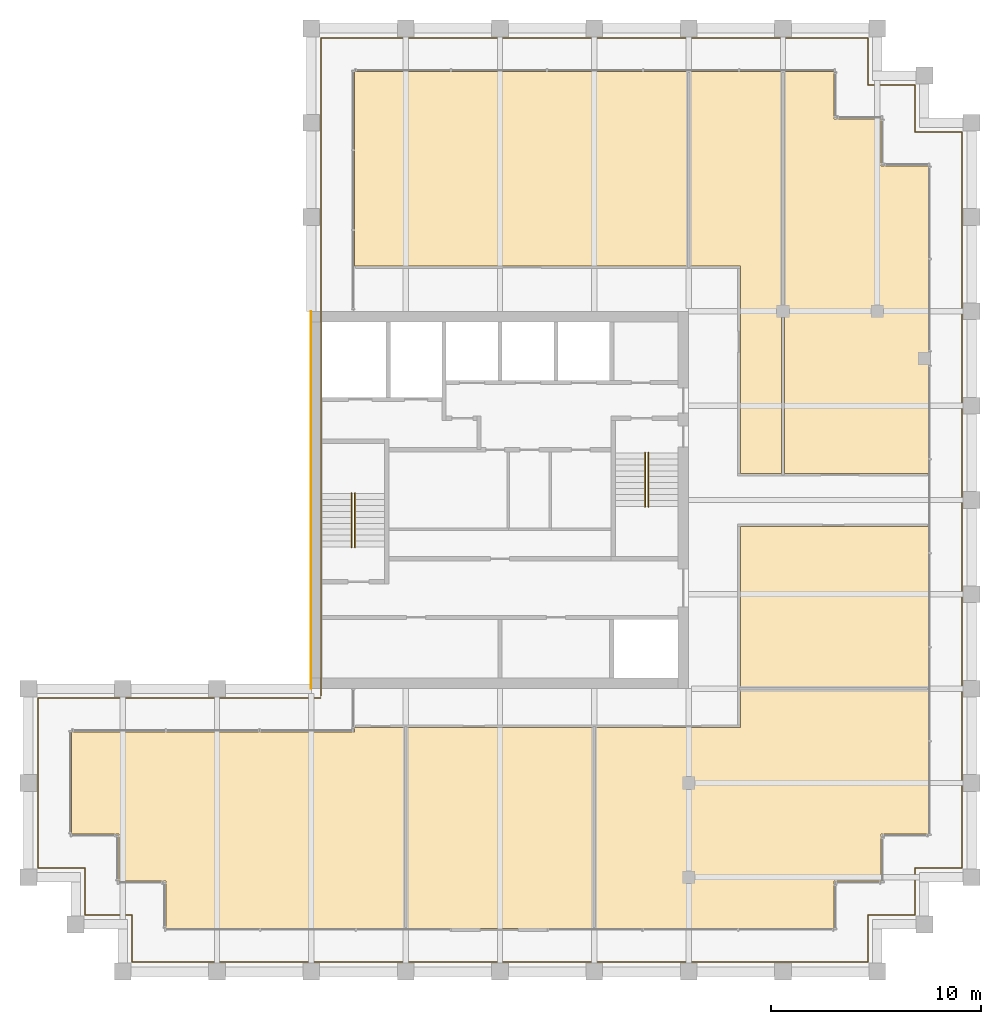
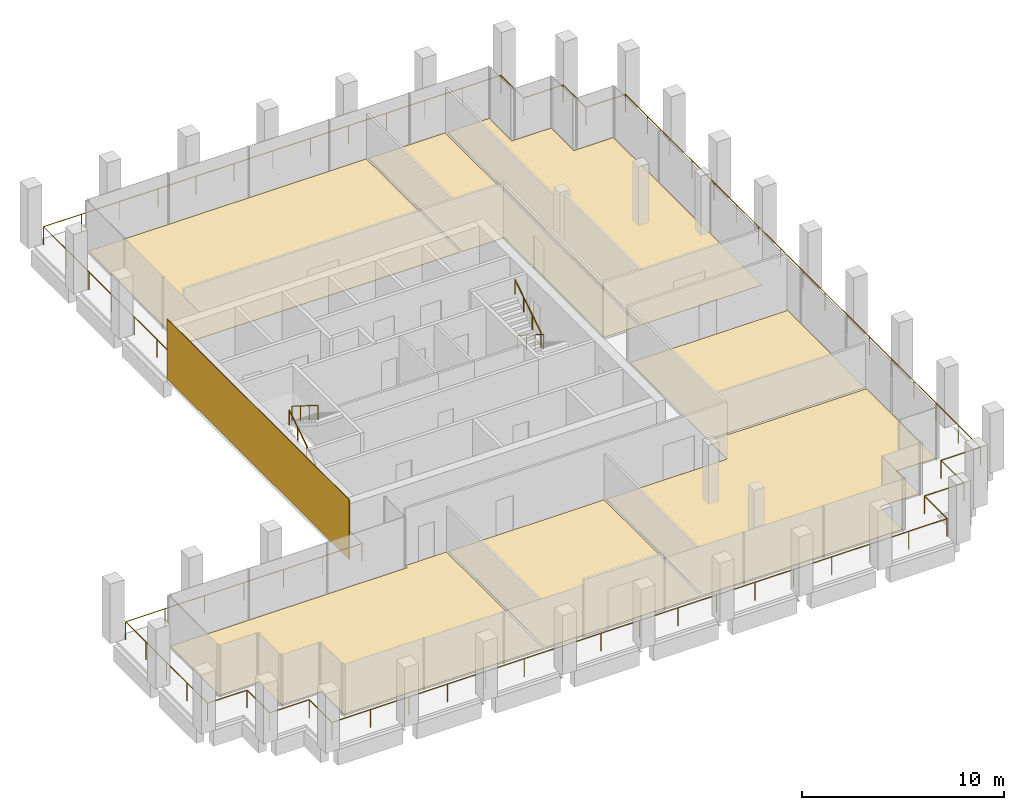
# One storey, part 30 of 30: 8 coverings, 5 railings.
"""IFC4 building model written with IfcOpenShell, lengths in metres."""

from ifc_helpers import new_model, si_unit, direction, frame, origin, origin_2d, place, context, subcontext, project, spatial, polyline, rectangle, circle, outline, extrude, source, transform, mapped, material, layer, layer_set, type_object, element, save


model = new_model("IFC4")

# Units and contexts
model_context = context("Model", 3, precision=1e-05, world=origin(), true_north=direction((0.0, 1.0)))
body_context = subcontext(model_context, "Body", "Model", "MODEL_VIEW")
ifc_project = project(units=[si_unit("LENGTHUNIT", "METRE"), si_unit("AREAUNIT", "SQUARE_METRE"), si_unit("VOLUMEUNIT", "CUBIC_METRE"), si_unit("PLANEANGLEUNIT", "RADIAN"), si_unit("MASSUNIT", "GRAM", prefix="KILO")], contexts=[model_context])

# Site, building, storey
site_placement = place(None, origin())
site = spatial("IfcSite", under=ifc_project, at=site_placement, CompositionType="ELEMENT")
building_placement = place(site_placement, origin())
building = spatial("IfcBuilding", under=site, at=building_placement, Name="Altepetl Exchange Towers", CompositionType="ELEMENT")
storey_placement = place(building_placement, frame((0.0, 0.0, 238.800048828125)))
storey = spatial("IfcBuildingStorey", under=building, at=storey_placement, Name="L61", CompositionType="ELEMENT", Elevation=238.800048828125)

# Coverings
ifc_material_1 = material(Name="Carpet tile")
ifc_layer_1 = layer(ifc_material_1, 0.02001953125)
ifc_layer_set_1 = layer_set([ifc_layer_1], Name="Carpet tile")
covering_type_1 = type_object("IfcCoveringType", Name="Carpet tile floor", PredefinedType="FLOORING", material=ifc_layer_set_1)
covering_1_placement = place(storey_placement, origin())
element("IfcCovering", 1, at=covering_1_placement, inside=storey, type_object=covering_type_1, Name="Fund office floor finish A61.01", PredefinedType="FLOORING", context=body_context, shape_type="SweptSolid", body=[
    extrude(outline(polyline([(33.5625, 29.0625), (44.9375, 29.0625), (44.9375, 38.637451171875), (42.5625, 38.637451171875), (42.5625, 38.4375), (29.0625, 38.4375), (29.0625, 33.5625), (31.3125, 33.5625), (31.3125, 31.3125), (33.5625, 31.3125), (33.5625, 29.0625)])), origin(), (0.0, 0.0, 1.0), 0.02001953125),
])
covering_2_placement = place(storey_placement, origin())
element("IfcCovering", 2, at=covering_2_placement, inside=storey, type_object=covering_type_1, Name="Family office floor finish A61.02", PredefinedType="FLOORING", context=body_context, shape_type="SweptSolid", body=[
    extrude(outline(polyline([(45.0625, 38.637451171875), (45.0625, 29.0625), (53.9375, 29.0625), (53.9375, 38.637451171875), (45.0625, 38.637451171875)])), origin(), (0.0, 0.0, 1.0), 0.02001953125),
])
covering_3_placement = place(storey_placement, origin())
element("IfcCovering", 3, at=covering_3_placement, inside=storey, type_object=covering_type_1, Name="Family office floor finish A61.03", PredefinedType="FLOORING", context=body_context, shape_type="SweptSolid", body=[
    extrude(outline(polyline([(54.0625, 29.0625), (65.4375, 29.0625), (65.4375, 31.3125), (67.6875, 31.3125), (67.6875, 33.5625), (69.9375, 33.5625), (69.9375, 40.4375), (60.96240234375, 40.4375), (60.96240234375, 38.637451171875), (54.0625, 38.637451171875), (54.0625, 29.0625)])), origin(), (0.0, 0.0, 1.0), 0.02001953125),
])
covering_4_placement = place(storey_placement, origin())
element("IfcCovering", 4, at=covering_4_placement, inside=storey, type_object=covering_type_1, Name="Meeting room floor finish A61.04", PredefinedType="FLOORING", context=body_context, shape_type="SweptSolid", body=[
    extrude(outline(polyline([(60.96240234375, 40.5625), (69.9375, 40.5625), (69.9375, 48.237548828125), (60.96240234375, 48.237548828125), (60.96240234375, 40.5625)])), origin(), (0.0, 0.0, 1.0), 0.02001953125),
])
covering_5_placement = place(storey_placement, origin())
element("IfcCovering", 5, at=covering_5_placement, inside=storey, type_object=covering_type_1, Name="Wealth office floor finish A61.05", PredefinedType="FLOORING", context=body_context, shape_type="SweptSolid", body=[
    extrude(outline(polyline([(65.4375, 67.6875), (65.4375, 69.9375), (63.0625, 69.9375), (63.0625, 50.762451171875), (69.9375, 50.762451171875), (69.9375, 65.4375), (67.6875, 65.4375), (67.6875, 67.6875), (65.4375, 67.6875)])), origin(), (0.0, 0.0, 1.0), 0.02001953125),
])
covering_6_placement = place(storey_placement, origin())
element("IfcCovering", 6, at=covering_6_placement, inside=storey, type_object=covering_type_1, Name="Interview room floor finish A61.06", PredefinedType="FLOORING", context=body_context, shape_type="SweptSolid", body=[
    extrude(outline(polyline([(62.9375, 50.762451171875), (62.9375, 69.9375), (58.5625, 69.9375), (58.5625, 60.66259765625), (60.96240234375, 60.66259765625), (60.96240234375, 50.762451171875), (62.9375, 50.762451171875)])), origin(), (0.0, 0.0, 1.0), 0.02001953125),
])
ifc_material_2 = material(Name="Cantera stone", Category="masonry")
ifc_layer_2 = layer(ifc_material_2, 0.030029296875)
ifc_layer_set_2 = layer_set([ifc_layer_2], Name="Cantera stone")
covering_type_2 = type_object("IfcCoveringType", Name="Polished stone floor", PredefinedType="FLOORING", material=ifc_layer_set_2)
covering_7_placement = place(storey_placement, origin())
element("IfcCovering", 7, at=covering_7_placement, inside=storey, type_object=covering_type_2, Name="Library floor finish A61.07", PredefinedType="FLOORING", context=body_context, shape_type="SweptSolid", body=[
    extrude(outline(polyline([(58.4375, 60.66259765625), (58.4375, 69.9375), (42.5625, 69.9375), (42.5625, 60.66259765625), (58.4375, 60.66259765625)])), origin(), (0.0, 0.0, 1.0), 0.030029296875),
])
ifc_material_3 = material(Name="Cantera limestone cladding", Category="masonry")
ifc_layer_3 = layer(ifc_material_3, 0.0400390625)
ifc_layer_set_3 = layer_set([ifc_layer_3], Name="Cantera limestone cladding")
covering_type_3 = type_object("IfcCoveringType", Name="Stone panel 40 cantera", PredefinedType="CLADDING", material=ifc_layer_set_3)
covering_8_placement = place(storey_placement, frame((40.47998046875, 49.5, 0.0), z_axis=(0.0, 0.0, 1.0), x_axis=(0.0, -1.0, 0.0)))
element("IfcCovering", 8, at=covering_8_placement, inside=storey, type_object=covering_type_3, Name="Stone cladding panel", PredefinedType="CLADDING", context=body_context, shape_type="SweptSolid", body=[
    extrude(rectangle(XDim=18.0, YDim=0.0400390625, at=origin_2d()), origin(), (0.0, 0.0, 1.0), 3.60009765625),
])

# Railings
ifc_material_4 = material(Name="Steel S355", Category="steel")
railing_type_1 = type_object("IfcRailingType", Name="Guard 1100 steel posts and rail", PredefinedType="GUARDRAIL", material=ifc_material_4)
shared_shape_1 = source(origin(), body_context, "Body", "SweptSolid", [
    extrude(circle(Radius=0.02099609375, at=origin_2d()), origin(), (0.0, 0.0, 1.0), 1.052001953125),
])
railing_1_placement = place(storey_placement, frame((40.949951171875, 40.050048828125, 0.0)))
element("IfcRailing", 9, at=railing_1_placement, inside=storey, type_object=railing_type_1, Name="Loggia guard", PredefinedType="GUARDRAIL", context=body_context, shape_type="SweptSolid", body=[
    extrude(circle(Radius=0.02392578125, at=origin_2d()), frame((0.0, 0.0, 1.076171875), z_axis=(-1.0, 0.0, 0.0), x_axis=(0.0, -1.0, 0.0)), (0.0, 0.0, 1.0), 13.5),
    extrude(circle(Radius=0.02392578125, at=origin_2d()), frame((-13.5, 0.0, 1.076171875), z_axis=(0.0, -1.0, 0.0), x_axis=(1.0, 0.0, 0.0)), (0.0, 0.0, 1.0), 8.10009765625),
    extrude(circle(Radius=0.02392578125, at=origin_2d()), frame((-13.5, -8.10009765625, 1.076171875), z_axis=(1.0, 0.0, 0.0), x_axis=(0.0, 1.0, 0.0)), (0.0, 0.0, 1.0), 2.25),
    extrude(circle(Radius=0.02392578125, at=origin_2d()), frame((-11.25, -8.10009765625, 1.076171875), z_axis=(0.0, -1.0, 0.0), x_axis=(1.0, 0.0, 0.0)), (0.0, 0.0, 1.0), 2.25),
    extrude(circle(Radius=0.02392578125, at=origin_2d()), frame((-11.25, -10.35009765625, 1.076171875), z_axis=(1.0, 0.0, 0.0), x_axis=(0.0, 1.0, 0.0)), (0.0, 0.0, 1.0), 2.25),
    extrude(circle(Radius=0.02392578125, at=origin_2d()), frame((-9.0, -10.35009765625, 1.076171875), z_axis=(0.0, -1.0, 0.0), x_axis=(1.0, 0.0, 0.0)), (0.0, 0.0, 1.0), 2.25),
    extrude(circle(Radius=0.02392578125, at=origin_2d()), frame((-9.0, -12.60009765625, 1.076171875), z_axis=(1.0, 0.0, 0.0), x_axis=(0.0, 1.0, 0.0)), (0.0, 0.0, 1.0), 35.10009765625),
    extrude(circle(Radius=0.02392578125, at=origin_2d()), frame((26.10009765625, -12.60009765625, 1.076171875), z_axis=(0.0, 1.0, 0.0), x_axis=(-1.0, 0.0, 0.0)), (0.0, 0.0, 1.0), 2.25),
    extrude(circle(Radius=0.02392578125, at=origin_2d()), frame((26.10009765625, -10.35009765625, 1.076171875), z_axis=(1.0, 0.0, 0.0), x_axis=(0.0, 1.0, 0.0)), (0.0, 0.0, 1.0), 2.25),
    extrude(circle(Radius=0.02392578125, at=origin_2d()), frame((28.35009765625, -10.35009765625, 1.076171875), z_axis=(0.0, 1.0, 0.0), x_axis=(-1.0, 0.0, 0.0)), (0.0, 0.0, 1.0), 2.25),
    extrude(circle(Radius=0.02392578125, at=origin_2d()), frame((28.35009765625, -8.10009765625, 1.076171875), z_axis=(1.0, 0.0, 0.0), x_axis=(0.0, 1.0, 0.0)), (0.0, 0.0, 1.0), 2.25),
    extrude(circle(Radius=0.02392578125, at=origin_2d()), frame((30.60009765625, -8.10009765625, 1.076171875), z_axis=(0.0, 1.0, 0.0), x_axis=(-1.0, 0.0, 0.0)), (0.0, 0.0, 1.0), 35.10009765625),
    extrude(circle(Radius=0.02392578125, at=origin_2d()), frame((30.60009765625, 27.0, 1.076171875), z_axis=(-1.0, 0.0, 0.0), x_axis=(0.0, -1.0, 0.0)), (0.0, 0.0, 1.0), 2.25),
    extrude(circle(Radius=0.02392578125, at=origin_2d()), frame((28.35009765625, 27.0, 1.076171875), z_axis=(0.0, 1.0, 0.0), x_axis=(-1.0, 0.0, 0.0)), (0.0, 0.0, 1.0), 2.25),
    extrude(circle(Radius=0.02392578125, at=origin_2d()), frame((28.35009765625, 29.25, 1.076171875), z_axis=(-1.0, 0.0, 0.0), x_axis=(0.0, -1.0, 0.0)), (0.0, 0.0, 1.0), 2.25),
    extrude(circle(Radius=0.02392578125, at=origin_2d()), frame((26.10009765625, 29.25, 1.076171875), z_axis=(0.0, 1.0, 0.0), x_axis=(-1.0, 0.0, 0.0)), (0.0, 0.0, 1.0), 2.25),
    extrude(circle(Radius=0.02392578125, at=origin_2d()), frame((26.10009765625, 31.5, 1.076171875), z_axis=(-1.0, 0.0, 0.0), x_axis=(0.0, -1.0, 0.0)), (0.0, 0.0, 1.0), 26.10009765625),
    extrude(circle(Radius=0.02392578125, at=origin_2d()), frame((0.0, 31.5, 1.076171875), z_axis=(0.0, -1.0, 0.0), x_axis=(1.0, 0.0, 0.0)), (0.0, 0.0, 1.0), 31.400146484375),
    mapped(shared_shape_1, transform((0.0, 0.0, 0.0))),
    mapped(shared_shape_1, transform((-2.25, 0.0, 0.0))),
    mapped(shared_shape_1, transform((-4.5, 0.0, 0.0))),
    mapped(shared_shape_1, transform((-6.75, 0.0, 0.0))),
    mapped(shared_shape_1, transform((-9.0, 0.0, 0.0))),
    mapped(shared_shape_1, transform((-11.25, 0.0, 0.0))),
    mapped(shared_shape_1, transform((-13.5, 0.0, 0.0))),
    mapped(shared_shape_1, transform((-13.5, -2.02490234375, 0.0))),
    mapped(shared_shape_1, transform((-13.5, -4.050048828125, 0.0))),
    mapped(shared_shape_1, transform((-13.5, -6.0751953125, 0.0))),
    mapped(shared_shape_1, transform((-13.5, -8.10009765625, 0.0))),
    mapped(shared_shape_1, transform((-11.25, -8.10009765625, 0.0))),
    mapped(shared_shape_1, transform((-11.25, -10.35009765625, 0.0))),
    mapped(shared_shape_1, transform((-9.0, -10.35009765625, 0.0))),
    mapped(shared_shape_1, transform((-9.0, -12.60009765625, 0.0))),
    mapped(shared_shape_1, transform((-6.80615234375, -12.60009765625, 0.0))),
    mapped(shared_shape_1, transform((-4.612548828125, -12.60009765625, 0.0))),
    mapped(shared_shape_1, transform((-2.418701171875, -12.60009765625, 0.0))),
    mapped(shared_shape_1, transform((-0.22509765625, -12.60009765625, 0.0))),
    mapped(shared_shape_1, transform((1.96875, -12.60009765625, 0.0))),
    mapped(shared_shape_1, transform((4.16259765625, -12.60009765625, 0.0))),
    mapped(shared_shape_1, transform((6.356201171875, -12.60009765625, 0.0))),
    mapped(shared_shape_1, transform((8.550048828125, -12.60009765625, 0.0))),
    mapped(shared_shape_1, transform((10.743896484375, -12.60009765625, 0.0))),
    mapped(shared_shape_1, transform((12.9375, -12.60009765625, 0.0))),
    mapped(shared_shape_1, transform((15.13134765625, -12.60009765625, 0.0))),
    mapped(shared_shape_1, transform((17.3251953125, -12.60009765625, 0.0))),
    mapped(shared_shape_1, transform((19.518798828125, -12.60009765625, 0.0))),
    mapped(shared_shape_1, transform((21.712646484375, -12.60009765625, 0.0))),
    mapped(shared_shape_1, transform((23.90625, -12.60009765625, 0.0))),
    mapped(shared_shape_1, transform((26.10009765625, -12.60009765625, 0.0))),
    mapped(shared_shape_1, transform((26.10009765625, -10.35009765625, 0.0))),
    mapped(shared_shape_1, transform((28.35009765625, -10.35009765625, 0.0))),
    mapped(shared_shape_1, transform((28.35009765625, -8.10009765625, 0.0))),
    mapped(shared_shape_1, transform((30.60009765625, -8.10009765625, 0.0))),
    mapped(shared_shape_1, transform((30.60009765625, -5.90625, 0.0))),
    mapped(shared_shape_1, transform((30.60009765625, -3.712646484375, 0.0))),
    mapped(shared_shape_1, transform((30.60009765625, -1.518798828125, 0.0))),
    mapped(shared_shape_1, transform((30.60009765625, 0.6748046875, 0.0))),
    mapped(shared_shape_1, transform((30.60009765625, 2.86865234375, 0.0))),
    mapped(shared_shape_1, transform((30.60009765625, 5.0625, 0.0))),
    mapped(shared_shape_1, transform((30.60009765625, 7.256103515625, 0.0))),
    mapped(shared_shape_1, transform((30.60009765625, 9.449951171875, 0.0))),
    mapped(shared_shape_1, transform((30.60009765625, 11.643798828125, 0.0))),
    mapped(shared_shape_1, transform((30.60009765625, 13.83740234375, 0.0))),
    mapped(shared_shape_1, transform((30.60009765625, 16.03125, 0.0))),
    mapped(shared_shape_1, transform((30.60009765625, 18.22509765625, 0.0))),
    mapped(shared_shape_1, transform((30.60009765625, 20.418701171875, 0.0))),
    mapped(shared_shape_1, transform((30.60009765625, 22.612548828125, 0.0))),
    mapped(shared_shape_1, transform((30.60009765625, 24.80615234375, 0.0))),
    mapped(shared_shape_1, transform((30.60009765625, 27.0, 0.0))),
    mapped(shared_shape_1, transform((28.35009765625, 27.0, 0.0))),
    mapped(shared_shape_1, transform((28.35009765625, 29.25, 0.0))),
    mapped(shared_shape_1, transform((26.10009765625, 29.25, 0.0))),
    mapped(shared_shape_1, transform((26.10009765625, 31.5, 0.0))),
    mapped(shared_shape_1, transform((23.925048828125, 31.5, 0.0))),
    mapped(shared_shape_1, transform((21.75, 31.5, 0.0))),
    mapped(shared_shape_1, transform((19.5751953125, 31.5, 0.0))),
    mapped(shared_shape_1, transform((17.400146484375, 31.5, 0.0))),
    mapped(shared_shape_1, transform((15.22509765625, 31.5, 0.0))),
    mapped(shared_shape_1, transform((13.050048828125, 31.5, 0.0))),
    mapped(shared_shape_1, transform((10.875, 31.5, 0.0))),
    mapped(shared_shape_1, transform((8.699951171875, 31.5, 0.0))),
    mapped(shared_shape_1, transform((6.52490234375, 31.5, 0.0))),
    mapped(shared_shape_1, transform((4.35009765625, 31.5, 0.0))),
    mapped(shared_shape_1, transform((2.175048828125, 31.5, 0.0))),
    mapped(shared_shape_1, transform((0.0, 31.5, 0.0))),
    mapped(shared_shape_1, transform((0.0, 29.257080078125, 0.0))),
    mapped(shared_shape_1, transform((0.0, 27.01416015625, 0.0))),
    mapped(shared_shape_1, transform((0.0, 24.771484375, 0.0))),
    mapped(shared_shape_1, transform((0.0, 22.528564453125, 0.0))),
    mapped(shared_shape_1, transform((0.0, 20.28564453125, 0.0))),
    mapped(shared_shape_1, transform((0.0, 18.042724609375, 0.0))),
    mapped(shared_shape_1, transform((0.0, 15.7998046875, 0.0))),
    mapped(shared_shape_1, transform((0.0, 13.55712890625, 0.0))),
    mapped(shared_shape_1, transform((0.0, 11.314208984375, 0.0))),
    mapped(shared_shape_1, transform((0.0, 9.0712890625, 0.0))),
    mapped(shared_shape_1, transform((0.0, 6.828369140625, 0.0))),
    mapped(shared_shape_1, transform((0.0, 4.585693359375, 0.0))),
    mapped(shared_shape_1, transform((0.0, 2.3427734375, 0.0))),
    mapped(shared_shape_1, transform((0.0, 0.099853515625, 0.0))),
])
ifc_material_5 = material(Name="Steel", Category="steel")
railing_type_2 = type_object("IfcRailingType", Name="Stair handrail 50 steel tube", PredefinedType="HANDRAIL", material=ifc_material_5)
shared_shape_2 = source(origin(), body_context, "Body", "SweptSolid", [
    extrude(circle(Radius=0.02099609375, at=origin_2d()), origin(), (0.0, 0.0, 1.0), 0.851806640625),
])
railing_2_placement = place(storey_placement, frame((42.419921875, 47.25, 0.179931640625)))
element("IfcRailing", 10, at=railing_2_placement, inside=storey, type_object=railing_type_2, Name="Stair handrail", PredefinedType="HANDRAIL", context=body_context, shape_type="SweptSolid", body=[
    extrude(circle(Radius=0.02392578125, at=origin_2d()), frame((0.0, 0.0, 0.8759765625), z_axis=(0.0, 0.845465955043, 0.534029323973), x_axis=(-1.0, 0.0, 0.0)), (0.0, 0.0, 1.0), 3.03369140625),
    mapped(shared_shape_2, transform((0.0, 0.0, 0.0))),
    mapped(shared_shape_2, transform((0.0, 0.85498046875, 0.5400390625))),
    mapped(shared_shape_2, transform((0.0, 1.7099609375, 1.080078125))),
    mapped(shared_shape_2, transform((0.0, 2.56494140625, 1.6201171875))),
])
railing_3_placement = place(storey_placement, frame((42.580078125, 49.81494140625, 1.97998046875)))
element("IfcRailing", 11, at=railing_3_placement, inside=storey, type_object=railing_type_2, Name="Stair handrail", PredefinedType="HANDRAIL", context=body_context, shape_type="SweptSolid", body=[
    extrude(circle(Radius=0.02392578125, at=origin_2d()), frame((0.0, 0.0, 0.8759765625), z_axis=(0.0, -0.845502289212, 0.533971796014), x_axis=(1.0, 0.0, 0.0)), (0.0, 0.0, 1.0), 3.03369140625),
    mapped(shared_shape_2, transform((0.0, 0.0, 0.0))),
    mapped(shared_shape_2, transform((0.0, -0.85498046875, 0.5400390625))),
    mapped(shared_shape_2, transform((0.0, -1.7099609375, 1.079833984375))),
    mapped(shared_shape_2, transform((0.0, -2.56494140625, 1.619873046875))),
])
railing_4_placement = place(storey_placement, frame((56.580078125, 51.75, 0.179931640625)))
element("IfcRailing", 12, at=railing_4_placement, inside=storey, type_object=railing_type_2, Name="Stair handrail", PredefinedType="HANDRAIL", context=body_context, shape_type="SweptSolid", body=[
    extrude(circle(Radius=0.02392578125, at=origin_2d()), frame((0.0, 0.0, 0.8759765625), z_axis=(0.0, -0.845465955043, 0.534029323973), x_axis=(1.0, 0.0, 0.0)), (0.0, 0.0, 1.0), 3.03369140625),
    mapped(shared_shape_2, transform((0.0, 0.0, 0.0))),
    mapped(shared_shape_2, transform((0.0, -0.85498046875, 0.5400390625))),
    mapped(shared_shape_2, transform((0.0, -1.7099609375, 1.080078125))),
    mapped(shared_shape_2, transform((0.0, -2.56494140625, 1.6201171875))),
])
railing_5_placement = place(storey_placement, frame((56.419921875, 49.18505859375, 1.97998046875)))
element("IfcRailing", 13, at=railing_5_placement, inside=storey, type_object=railing_type_2, Name="Stair handrail", PredefinedType="HANDRAIL", context=body_context, shape_type="SweptSolid", body=[
    extrude(circle(Radius=0.02392578125, at=origin_2d()), frame((0.0, 0.0, 0.8759765625), z_axis=(0.0, 0.845502289212, 0.533971796014), x_axis=(-1.0, 0.0, 0.0)), (0.0, 0.0, 1.0), 3.03369140625),
    mapped(shared_shape_2, transform((0.0, 0.0, 0.0))),
    mapped(shared_shape_2, transform((0.0, 0.85498046875, 0.5400390625))),
    mapped(shared_shape_2, transform((0.0, 1.7099609375, 1.079833984375))),
    mapped(shared_shape_2, transform((0.0, 2.56494140625, 1.619873046875))),
])

save(model, "model.ifc")
